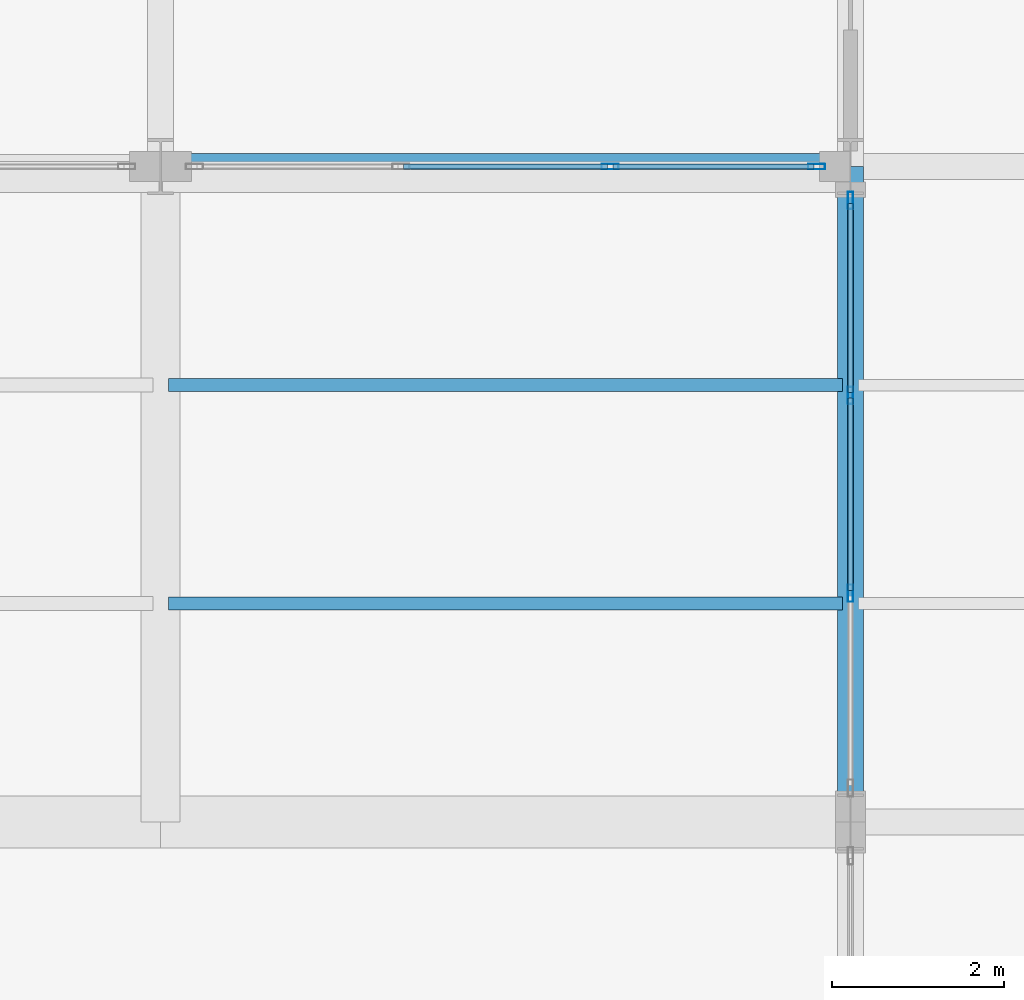
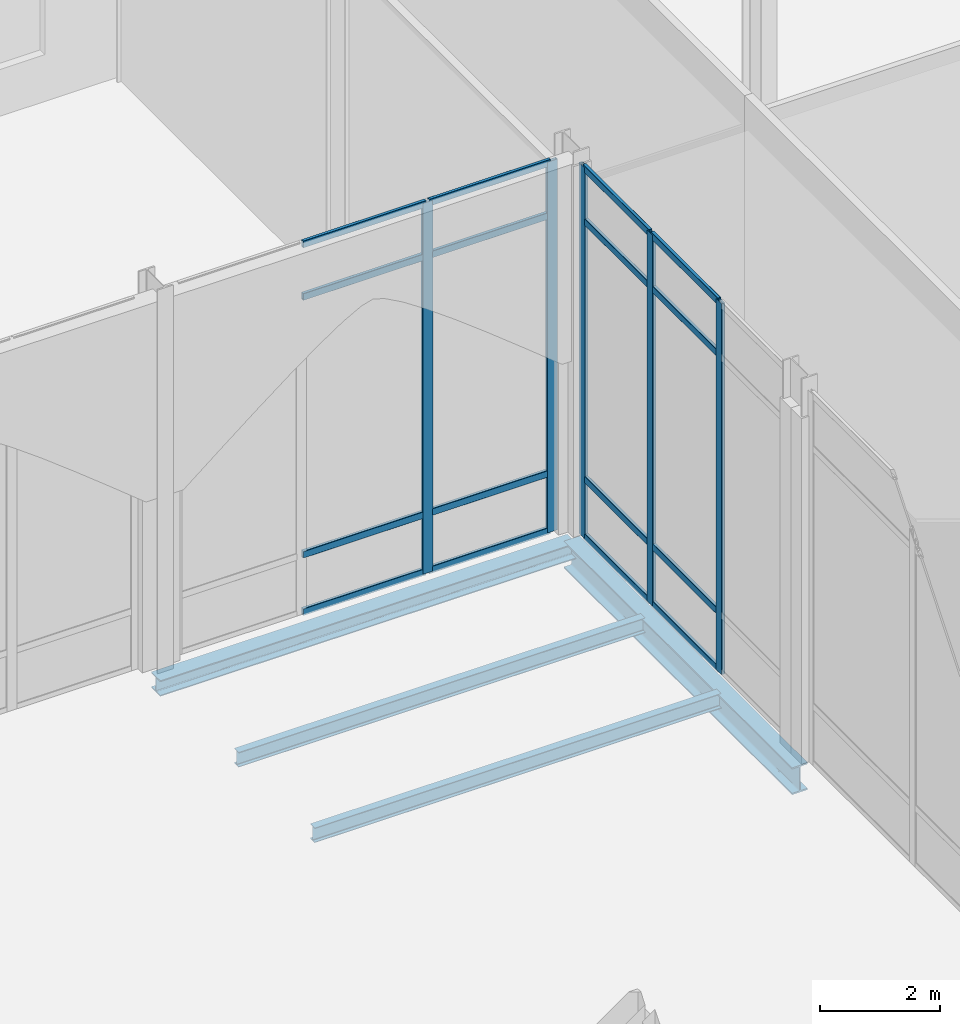
# One storey, part 75 of 176: 21 members, 4 beams, 2 elements without a shape of their own.
"""IFC4 building model written with IfcOpenShell, lengths in metres."""

from ifc_helpers import new_model, si_unit, direction, frame, origin, origin_2d, place, context, subcontext, project, spatial, hollow_rectangle, i_section, extrude, material, layer, layer_set, material_profile, profile_set, type_object, element, aggregate, save


model = new_model("IFC4")

# Units and contexts
model_context = context("Model", 3, precision=1e-05, world=origin(), true_north=direction((0.0, 1.0)))
body_context = subcontext(model_context, "Body", "Model", "MODEL_VIEW")
ifc_project = project(units=[si_unit("LENGTHUNIT", "METRE"), si_unit("AREAUNIT", "SQUARE_METRE"), si_unit("VOLUMEUNIT", "CUBIC_METRE"), si_unit("PLANEANGLEUNIT", "RADIAN"), si_unit("MASSUNIT", "GRAM", prefix="KILO")], contexts=[model_context])

# Site, building, storey
site_placement = place(None, origin())
site = spatial("IfcSite", under=ifc_project, at=site_placement, CompositionType="ELEMENT")
building_placement = place(site_placement, origin())
building = spatial("IfcBuilding", under=site, at=building_placement, Name="Vekula Escarpment Museum", CompositionType="ELEMENT")
storey_placement = place(building_placement, origin())
storey = spatial("IfcBuildingStorey", under=building, at=storey_placement, Name="L01", CompositionType="ELEMENT", Elevation=0.0)

# Beams
ifc_material_1 = material(Name="Steel S355", Category="steel")
ifc_material_profile_1 = material_profile(ifc_material_1, i_section(OverallWidth=0.300048828125, OverallDepth=0.320068359375, WebThickness=0.011474609375, FlangeThickness=0.0205078125, FilletRadius=0.027099609375, at=origin_2d()), Name="HEB 320")
ifc_profile_set_1 = profile_set([ifc_material_profile_1], Name="Steel S355")
beam_type_1 = type_object("IfcBeamType", Name="BM-GIRD-HEB320", PredefinedType="BEAM", material=ifc_profile_set_1)
beam_1_placement = place(storey_placement, frame((86.0, 120.800048828125, -0.4599609375), z_axis=(1.0, 0.0, 0.0), x_axis=(0.0, 1.0, 0.0)))
element("IfcBeam", 1, at=beam_1_placement, inside=storey, type_object=beam_type_1, Name="Beam X L01 0341", PredefinedType="BEAM", context=body_context, shape_type="SweptSolid", body=[
    extrude(i_section(OverallWidth=0.300048828125, OverallDepth=0.320068359375, WebThickness=0.011474609375, FlangeThickness=0.0205078125, FilletRadius=0.027099609375, at=origin_2d()), origin(), (0.0, 0.0, 1.0), 8.0),
])
ifc_material_2 = material(Name="Steel S355", Category="steel")
ifc_material_profile_2 = material_profile(ifc_material_2, i_section(OverallWidth=0.300048828125, OverallDepth=0.550048828125, WebThickness=0.014892578125, FlangeThickness=0.029052734375, FilletRadius=0.027099609375, at=origin_2d()), Name="HEB 550")
ifc_profile_set_2 = profile_set([ifc_material_profile_2], Name="Steel S355")
beam_type_2 = type_object("IfcBeamType", Name="BM-GIRD-HEB550", PredefinedType="BEAM", material=ifc_profile_set_2)
beam_2_placement = place(storey_placement, frame((94.0, 113.199951171875, -0.574951171875), z_axis=(0.0, 1.0, 0.0), x_axis=(-1.0, 0.0, 0.0)))
element("IfcBeam", 2, at=beam_2_placement, inside=storey, type_object=beam_type_2, Name="Beam Y L01 0591", PredefinedType="BEAM", context=body_context, shape_type="SweptSolid", body=[
    extrude(i_section(OverallWidth=0.300048828125, OverallDepth=0.550048828125, WebThickness=0.014892578125, FlangeThickness=0.029052734375, FilletRadius=0.027099609375, at=origin_2d()), origin(), (0.0, 0.0, 1.0), 7.60009765625),
])
ifc_material_3 = material(Name="Steel S355", Category="steel")
ifc_material_profile_3 = material_profile(ifc_material_3, i_section(OverallWidth=0.14990234375, OverallDepth=0.300048828125, WebThickness=0.007080078125, FlangeThickness=0.0107421875, FilletRadius=0.014892578125, at=origin_2d()), Name="IPE 300")
ifc_profile_set_3 = profile_set([ifc_material_profile_3], Name="Steel S355")
beam_type_3 = type_object("IfcBeamType", Name="BM-JST-IPE300", PredefinedType="JOIST", material=ifc_profile_set_3)
for number, where, z_axis, x_axis, name in (
    (3, (86.090087890625, 115.7333984375, -0.449951171875), (1.0, 0.0, 0.0), (0.0, 1.0, 0.0), "Secondary Joist L01 0282"),
    (4, (86.090087890625, 118.2666015625, -0.449951171875), (1.0, 0.0, 0.0), (0.0, 1.0, 0.0), "Secondary Joist L01 0283"),
):
    element("IfcBeam", number, at=place(storey_placement, frame(where, z_axis=z_axis, x_axis=x_axis)), inside=storey, type_object=beam_type_3, Name=name, PredefinedType="JOIST", context=body_context, shape_type="SweptSolid", body=[
        extrude(i_section(OverallWidth=0.14990234375, OverallDepth=0.300048828125, WebThickness=0.007080078125, FlangeThickness=0.0107421875, FilletRadius=0.014892578125, at=origin_2d()), origin(), (0.0, 0.0, 1.0), 7.81982421875),
    ])

# Curtain wall, members
ifc_material_4 = material(Name="Aluminium thermally broken framing", Category="aluminium")
ifc_layer_1 = layer(ifc_material_4, 0.199951171875)
ifc_layer_set_1 = layer_set([ifc_layer_1], Name="Aluminium thermally broken framing")
curtain_wall_type_1 = type_object("IfcCurtainWallType", Name="CW-SYS-04", PredefinedType="NOTDEFINED", material=ifc_layer_set_1)
curtain_wall_1_placement = place(storey_placement, origin())
curtain_wall_1 = element("IfcCurtainWall", 5, at=curtain_wall_1_placement, inside=storey, type_object=curtain_wall_type_1, Name="Curtain Wall CW-L01-034", PredefinedType="NOTDEFINED")
ifc_material_5 = material(Name="Aluminium anodized mullion", Category="aluminium")
ifc_material_profile_4 = material_profile(ifc_material_5, hollow_rectangle(XDim=0.06494140625, YDim=0.199951171875, WallThickness=0.00390625, InnerFilletRadius=0.00390625, OuterFilletRadius=0.008056640625, at=origin_2d()), Name="ALU 200x65x4")
ifc_profile_set_4 = profile_set([ifc_material_profile_4], Name="Aluminium anodized mullion")
member_type_1 = type_object("IfcMemberType", Name="CW-MUL-200", PredefinedType="MULLION", material=ifc_profile_set_4)
member_1_placement = place(storey_placement, frame((91.21337890625, 120.800048828125, 0.0), z_axis=(0.0, 0.0, 1.0), x_axis=(0.0, 1.0, 0.0)))
member_1 = element("IfcMember", 6, at=member_1_placement, type_object=member_type_1, Name="CW-04 mullion 3", PredefinedType="MULLION", context=body_context, shape_type="SweptSolid", body=[
    extrude(hollow_rectangle(XDim=0.06494140625, YDim=0.199951171875, WallThickness=0.00390625, InnerFilletRadius=0.00390625, OuterFilletRadius=0.008056640625, at=origin_2d()), origin(), (0.0, 0.0, 1.0), 7.5400390625),
])
member_2_placement = place(storey_placement, frame((93.607421875, 120.800048828125, 0.0), z_axis=(0.0, 0.0, 1.0), x_axis=(0.0, 1.0, 0.0)))
member_2 = element("IfcMember", 7, at=member_2_placement, type_object=member_type_1, Name="CW-04 mullion 4", PredefinedType="MULLION", context=body_context, shape_type="SweptSolid", body=[
    extrude(hollow_rectangle(XDim=0.06494140625, YDim=0.199951171875, WallThickness=0.00390625, InnerFilletRadius=0.00390625, OuterFilletRadius=0.008056640625, at=origin_2d()), origin(), (0.0, 0.0, 1.0), 7.5400390625),
])

ifc_material_6 = material(Name="Aluminium thermally broken framing", Category="aluminium")
ifc_layer_2 = layer(ifc_material_6, 0.159912109375)
ifc_layer_set_2 = layer_set([ifc_layer_2], Name="Aluminium thermally broken framing")
curtain_wall_type_2 = type_object("IfcCurtainWallType", Name="CW-SYS-05", PredefinedType="NOTDEFINED", material=ifc_layer_set_2)
curtain_wall_2_placement = place(storey_placement, origin())
curtain_wall_2 = element("IfcCurtainWall", 8, at=curtain_wall_2_placement, inside=storey, type_object=curtain_wall_type_2, Name="Curtain Wall CW-L01-035", PredefinedType="NOTDEFINED")
member_3_placement = place(storey_placement, frame((94.0, 120.407470703125, 0.0), z_axis=(0.0, 0.0, 1.0), x_axis=(1.0, 0.0, 0.0)))
member_3 = element("IfcMember", 9, at=member_3_placement, type_object=member_type_1, Name="CW-05 mullion 1", PredefinedType="MULLION", context=body_context, shape_type="SweptSolid", body=[
    extrude(hollow_rectangle(XDim=0.06494140625, YDim=0.199951171875, WallThickness=0.00390625, InnerFilletRadius=0.00390625, OuterFilletRadius=0.008056640625, at=origin_2d()), origin(), (0.0, 0.0, 1.0), 7.5400390625),
])
member_4_placement = place(storey_placement, frame((94.0, 118.146728515625, 0.0), z_axis=(0.0, 0.0, 1.0), x_axis=(1.0, 0.0, 0.0)))
member_4 = element("IfcMember", 10, at=member_4_placement, type_object=member_type_1, Name="CW-05 mullion 2", PredefinedType="MULLION", context=body_context, shape_type="SweptSolid", body=[
    extrude(hollow_rectangle(XDim=0.06494140625, YDim=0.199951171875, WallThickness=0.00390625, InnerFilletRadius=0.00390625, OuterFilletRadius=0.008056640625, at=origin_2d()), origin(), (0.0, 0.0, 1.0), 7.5400390625),
])
member_5_placement = place(storey_placement, frame((94.0, 115.853271484375, 0.0), z_axis=(0.0, 0.0, 1.0), x_axis=(1.0, 0.0, 0.0)))
member_5 = element("IfcMember", 11, at=member_5_placement, type_object=member_type_1, Name="CW-05 mullion 3", PredefinedType="MULLION", context=body_context, shape_type="SweptSolid", body=[
    extrude(hollow_rectangle(XDim=0.06494140625, YDim=0.199951171875, WallThickness=0.00390625, InnerFilletRadius=0.00390625, OuterFilletRadius=0.008056640625, at=origin_2d()), origin(), (0.0, 0.0, 1.0), 7.5400390625),
])

# Member
ifc_material_7 = material(Name="Aluminium anodized transom", Category="aluminium")
ifc_material_profile_5 = material_profile(ifc_material_7, hollow_rectangle(XDim=0.06494140625, YDim=0.139892578125, WallThickness=0.00390625, InnerFilletRadius=0.00390625, OuterFilletRadius=0.008056640625, at=origin_2d()), Name="ALU 140x65x4")
ifc_profile_set_5 = profile_set([ifc_material_profile_5], Name="Aluminium anodized transom")
member_type_2 = type_object("IfcMemberType", Name="CW-TRN-140", PredefinedType="USERDEFINED", material=ifc_profile_set_5)
member_6_placement = place(storey_placement, frame((88.819091796875, 120.800048828125, 0.032470703125), z_axis=(1.0, 0.0, 0.0), x_axis=(0.0, 1.0, 0.0)))
member_6 = element("IfcMember", 12, at=member_6_placement, type_object=member_type_2, Name="CW-04 transom 2.1", ObjectType="TRANSOM", PredefinedType="USERDEFINED", context=body_context, shape_type="SweptSolid", body=[
    extrude(hollow_rectangle(XDim=0.06494140625, YDim=0.139892578125, WallThickness=0.00390625, InnerFilletRadius=0.00390625, OuterFilletRadius=0.008056640625, at=origin_2d()), origin(), (0.0, 0.0, 1.0), 2.36181640625),
])

member_7_placement = place(storey_placement, frame((88.819091796875, 120.800048828125, 1.199951171875), z_axis=(1.0, 0.0, 0.0), x_axis=(0.0, 1.0, 0.0)))
member_7 = element("IfcMember", 13, at=member_7_placement, type_object=member_type_2, Name="CW-04 transom 2.2", ObjectType="TRANSOM", PredefinedType="USERDEFINED", context=body_context, shape_type="SweptSolid", body=[
    extrude(hollow_rectangle(XDim=0.06494140625, YDim=0.139892578125, WallThickness=0.00390625, InnerFilletRadius=0.00390625, OuterFilletRadius=0.008056640625, at=origin_2d()), origin(), (0.0, 0.0, 1.0), 2.36181640625),
])

member_8_placement = place(storey_placement, frame((88.819091796875, 120.800048828125, 6.43994140625), z_axis=(1.0, 0.0, 0.0), x_axis=(0.0, 1.0, 0.0)))
member_8 = element("IfcMember", 14, at=member_8_placement, type_object=member_type_2, Name="CW-04 transom 2.3", ObjectType="TRANSOM", PredefinedType="USERDEFINED", context=body_context, shape_type="SweptSolid", body=[
    extrude(hollow_rectangle(XDim=0.06494140625, YDim=0.139892578125, WallThickness=0.00390625, InnerFilletRadius=0.00390625, OuterFilletRadius=0.008056640625, at=origin_2d()), origin(), (0.0, 0.0, 1.0), 2.36181640625),
])

member_9_placement = place(storey_placement, frame((88.819091796875, 120.800048828125, 7.507568359375), z_axis=(1.0, 0.0, 0.0), x_axis=(0.0, 1.0, 0.0)))
member_9 = element("IfcMember", 15, at=member_9_placement, type_object=member_type_2, Name="CW-04 transom 2.4", ObjectType="TRANSOM", PredefinedType="USERDEFINED", context=body_context, shape_type="SweptSolid", body=[
    extrude(hollow_rectangle(XDim=0.06494140625, YDim=0.139892578125, WallThickness=0.00390625, InnerFilletRadius=0.00390625, OuterFilletRadius=0.008056640625, at=origin_2d()), origin(), (0.0, 0.0, 1.0), 2.36181640625),
])

member_10_placement = place(storey_placement, frame((91.245849609375, 120.800048828125, 0.032470703125), z_axis=(1.0, 0.0, 0.0), x_axis=(0.0, 1.0, 0.0)))
member_10 = element("IfcMember", 16, at=member_10_placement, type_object=member_type_2, Name="CW-04 transom 3.1", ObjectType="TRANSOM", PredefinedType="USERDEFINED", context=body_context, shape_type="SweptSolid", body=[
    extrude(hollow_rectangle(XDim=0.06494140625, YDim=0.139892578125, WallThickness=0.00390625, InnerFilletRadius=0.00390625, OuterFilletRadius=0.008056640625, at=origin_2d()), origin(), (0.0, 0.0, 1.0), 2.3291015625),
])

member_11_placement = place(storey_placement, frame((91.245849609375, 120.800048828125, 1.199951171875), z_axis=(1.0, 0.0, 0.0), x_axis=(0.0, 1.0, 0.0)))
member_11 = element("IfcMember", 17, at=member_11_placement, type_object=member_type_2, Name="CW-04 transom 3.2", ObjectType="TRANSOM", PredefinedType="USERDEFINED", context=body_context, shape_type="SweptSolid", body=[
    extrude(hollow_rectangle(XDim=0.06494140625, YDim=0.139892578125, WallThickness=0.00390625, InnerFilletRadius=0.00390625, OuterFilletRadius=0.008056640625, at=origin_2d()), origin(), (0.0, 0.0, 1.0), 2.3291015625),
])

member_12_placement = place(storey_placement, frame((91.245849609375, 120.800048828125, 6.43994140625), z_axis=(1.0, 0.0, 0.0), x_axis=(0.0, 1.0, 0.0)))
member_12 = element("IfcMember", 18, at=member_12_placement, type_object=member_type_2, Name="CW-04 transom 3.3", ObjectType="TRANSOM", PredefinedType="USERDEFINED", context=body_context, shape_type="SweptSolid", body=[
    extrude(hollow_rectangle(XDim=0.06494140625, YDim=0.139892578125, WallThickness=0.00390625, InnerFilletRadius=0.00390625, OuterFilletRadius=0.008056640625, at=origin_2d()), origin(), (0.0, 0.0, 1.0), 2.3291015625),
])

member_13_placement = place(storey_placement, frame((91.245849609375, 120.800048828125, 7.507568359375), z_axis=(1.0, 0.0, 0.0), x_axis=(0.0, 1.0, 0.0)))
member_13 = element("IfcMember", 19, at=member_13_placement, type_object=member_type_2, Name="CW-04 transom 3.4", ObjectType="TRANSOM", PredefinedType="USERDEFINED", context=body_context, shape_type="SweptSolid", body=[
    extrude(hollow_rectangle(XDim=0.06494140625, YDim=0.139892578125, WallThickness=0.00390625, InnerFilletRadius=0.00390625, OuterFilletRadius=0.008056640625, at=origin_2d()), origin(), (0.0, 0.0, 1.0), 2.3291015625),
])

aggregate(curtain_wall_1, [member_1, member_2, member_6, member_7, member_8, member_9, member_10, member_11, member_12, member_13])

member_14_placement = place(storey_placement, frame((94.0, 120.375, 0.032470703125), z_axis=(0.0, -1.0, 0.0), x_axis=(1.0, 0.0, 0.0)))
member_14 = element("IfcMember", 20, at=member_14_placement, type_object=member_type_2, Name="CW-05 transom 1.1", ObjectType="TRANSOM", PredefinedType="USERDEFINED", context=body_context, shape_type="SweptSolid", body=[
    extrude(hollow_rectangle(XDim=0.06494140625, YDim=0.139892578125, WallThickness=0.00390625, InnerFilletRadius=0.00390625, OuterFilletRadius=0.008056640625, at=origin_2d()), origin(), (0.0, 0.0, 1.0), 2.19580078125),
])

member_15_placement = place(storey_placement, frame((94.0, 120.375, 1.199951171875), z_axis=(0.0, -1.0, 0.0), x_axis=(1.0, 0.0, 0.0)))
member_15 = element("IfcMember", 21, at=member_15_placement, type_object=member_type_2, Name="CW-05 transom 1.2", ObjectType="TRANSOM", PredefinedType="USERDEFINED", context=body_context, shape_type="SweptSolid", body=[
    extrude(hollow_rectangle(XDim=0.06494140625, YDim=0.139892578125, WallThickness=0.00390625, InnerFilletRadius=0.00390625, OuterFilletRadius=0.008056640625, at=origin_2d()), origin(), (0.0, 0.0, 1.0), 2.19580078125),
])

member_16_placement = place(storey_placement, frame((94.0, 120.375, 6.43994140625), z_axis=(0.0, -1.0, 0.0), x_axis=(1.0, 0.0, 0.0)))
member_16 = element("IfcMember", 22, at=member_16_placement, type_object=member_type_2, Name="CW-05 transom 1.3", ObjectType="TRANSOM", PredefinedType="USERDEFINED", context=body_context, shape_type="SweptSolid", body=[
    extrude(hollow_rectangle(XDim=0.06494140625, YDim=0.139892578125, WallThickness=0.00390625, InnerFilletRadius=0.00390625, OuterFilletRadius=0.008056640625, at=origin_2d()), origin(), (0.0, 0.0, 1.0), 2.19580078125),
])

member_17_placement = place(storey_placement, frame((94.0, 120.375, 7.507568359375), z_axis=(0.0, -1.0, 0.0), x_axis=(1.0, 0.0, 0.0)))
member_17 = element("IfcMember", 23, at=member_17_placement, type_object=member_type_2, Name="CW-05 transom 1.4", ObjectType="TRANSOM", PredefinedType="USERDEFINED", context=body_context, shape_type="SweptSolid", body=[
    extrude(hollow_rectangle(XDim=0.06494140625, YDim=0.139892578125, WallThickness=0.00390625, InnerFilletRadius=0.00390625, OuterFilletRadius=0.008056640625, at=origin_2d()), origin(), (0.0, 0.0, 1.0), 2.19580078125),
])

member_18_placement = place(storey_placement, frame((94.0, 118.1142578125, 0.032470703125), z_axis=(0.0, -1.0, 0.0), x_axis=(1.0, 0.0, 0.0)))
member_18 = element("IfcMember", 24, at=member_18_placement, type_object=member_type_2, Name="CW-05 transom 2.1", ObjectType="TRANSOM", PredefinedType="USERDEFINED", context=body_context, shape_type="SweptSolid", body=[
    extrude(hollow_rectangle(XDim=0.06494140625, YDim=0.139892578125, WallThickness=0.00390625, InnerFilletRadius=0.00390625, OuterFilletRadius=0.008056640625, at=origin_2d()), origin(), (0.0, 0.0, 1.0), 2.228515625),
])

member_19_placement = place(storey_placement, frame((94.0, 118.1142578125, 1.199951171875), z_axis=(0.0, -1.0, 0.0), x_axis=(1.0, 0.0, 0.0)))
member_19 = element("IfcMember", 25, at=member_19_placement, type_object=member_type_2, Name="CW-05 transom 2.2", ObjectType="TRANSOM", PredefinedType="USERDEFINED", context=body_context, shape_type="SweptSolid", body=[
    extrude(hollow_rectangle(XDim=0.06494140625, YDim=0.139892578125, WallThickness=0.00390625, InnerFilletRadius=0.00390625, OuterFilletRadius=0.008056640625, at=origin_2d()), origin(), (0.0, 0.0, 1.0), 2.228515625),
])

member_20_placement = place(storey_placement, frame((94.0, 118.1142578125, 6.43994140625), z_axis=(0.0, -1.0, 0.0), x_axis=(1.0, 0.0, 0.0)))
member_20 = element("IfcMember", 26, at=member_20_placement, type_object=member_type_2, Name="CW-05 transom 2.3", ObjectType="TRANSOM", PredefinedType="USERDEFINED", context=body_context, shape_type="SweptSolid", body=[
    extrude(hollow_rectangle(XDim=0.06494140625, YDim=0.139892578125, WallThickness=0.00390625, InnerFilletRadius=0.00390625, OuterFilletRadius=0.008056640625, at=origin_2d()), origin(), (0.0, 0.0, 1.0), 2.228515625),
])

member_21_placement = place(storey_placement, frame((94.0, 118.1142578125, 7.507568359375), z_axis=(0.0, -1.0, 0.0), x_axis=(1.0, 0.0, 0.0)))
member_21 = element("IfcMember", 27, at=member_21_placement, type_object=member_type_2, Name="CW-05 transom 2.4", ObjectType="TRANSOM", PredefinedType="USERDEFINED", context=body_context, shape_type="SweptSolid", body=[
    extrude(hollow_rectangle(XDim=0.06494140625, YDim=0.139892578125, WallThickness=0.00390625, InnerFilletRadius=0.00390625, OuterFilletRadius=0.008056640625, at=origin_2d()), origin(), (0.0, 0.0, 1.0), 2.228515625),
])

aggregate(curtain_wall_2, [member_3, member_4, member_5, member_14, member_15, member_16, member_17, member_18, member_19, member_20, member_21])

save(model, "model.ifc")
